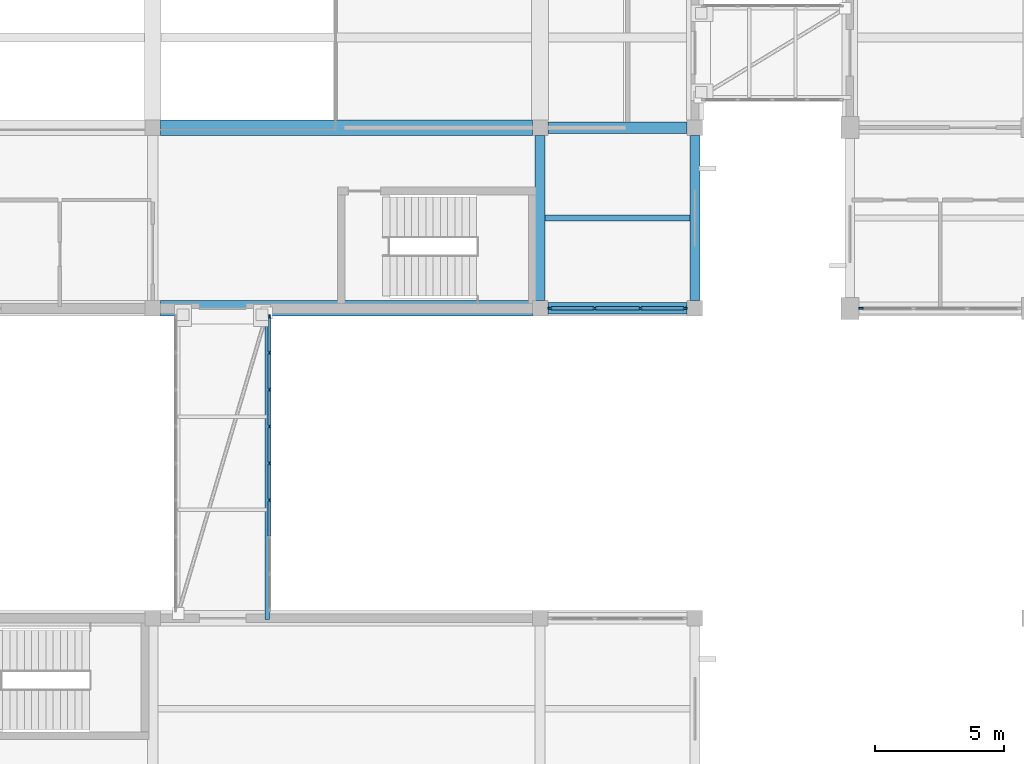
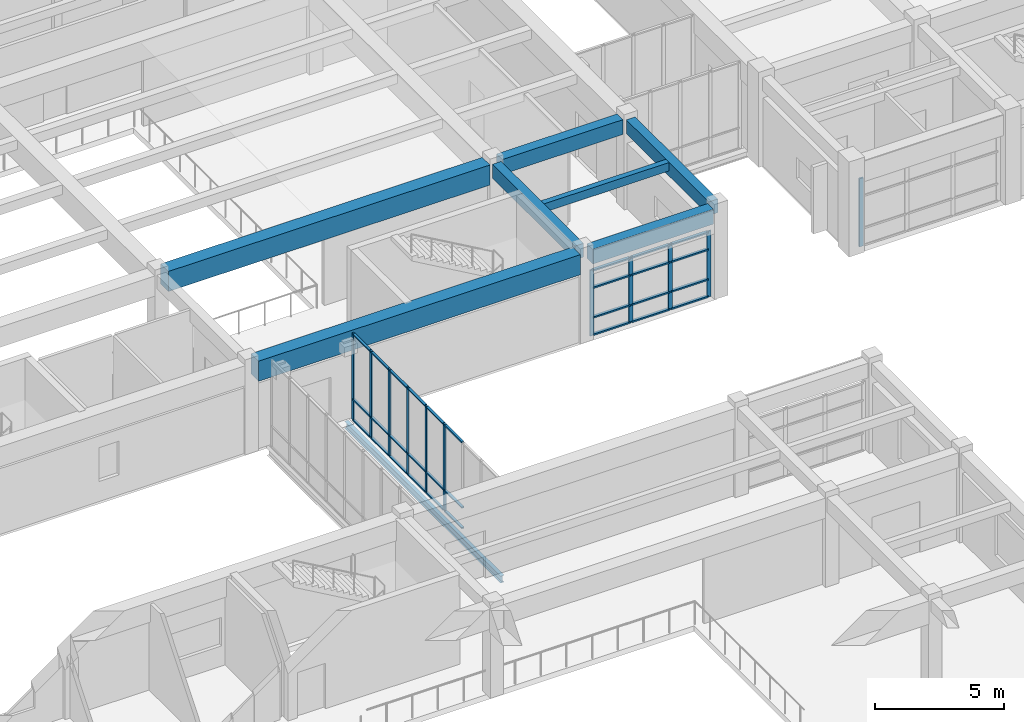
# One storey, part 14 of 72: 41 members, 8 beams, 3 elements without a shape of their own.
"""IFC4 building model written with IfcOpenShell, lengths in metres."""

from ifc_helpers import new_model, si_unit, direction, frame, origin, origin_2d, place, context, subcontext, project, spatial, rectangle, i_section, extrude, material, layer, layer_set, material_profile, profile_set, type_object, element, aggregate, save


model = new_model("IFC4")

# Units and contexts
model_context = context("Model", 3, precision=1e-05, world=origin(), true_north=direction((0.0, 1.0)))
body_context = subcontext(model_context, "Body", "Model", "MODEL_VIEW")
ifc_project = project(units=[si_unit("LENGTHUNIT", "METRE"), si_unit("AREAUNIT", "SQUARE_METRE"), si_unit("VOLUMEUNIT", "CUBIC_METRE"), si_unit("PLANEANGLEUNIT", "RADIAN"), si_unit("MASSUNIT", "GRAM", prefix="KILO")], contexts=[model_context])

# Site, building, storey
site_placement = place(None, origin())
site = spatial("IfcSite", under=ifc_project, at=site_placement, CompositionType="ELEMENT")
building_placement = place(site_placement, origin())
building = spatial("IfcBuilding", under=site, at=building_placement, Name="Naurynzar Civic Courthouse", CompositionType="ELEMENT")
storey_placement = place(building_placement, frame((0.0, 0.0, 9.89990234375)))
storey = spatial("IfcBuildingStorey", under=building, at=storey_placement, Name="L03", CompositionType="ELEMENT", Elevation=9.89990234375)

# Beams
ifc_material_1 = material(Name="Concrete C40/50", Category="concrete")
ifc_material_profile_1 = material_profile(ifc_material_1, rectangle(XDim=0.25, YDim=0.39990234375, at=origin_2d()), Name="RCB 250x400")
ifc_profile_set_1 = profile_set([ifc_material_profile_1], Name="Concrete C40/50")
beam_type_1 = type_object("IfcBeamType", Name="BM-JST-250x400", PredefinedType="JOIST", material=ifc_profile_set_1)
beam_1_placement = place(storey_placement, frame((50.199951171875, 47.5, 4.030029296875), z_axis=(1.0, 0.0, 0.0), x_axis=(0.0, 1.0, 0.0)))
element("IfcBeam", 1, at=beam_1_placement, inside=storey, type_object=beam_type_1, Name="V1 secondary rib 203 L03", PredefinedType="JOIST", context=body_context, shape_type="SweptSolid", body=[
    extrude(rectangle(XDim=0.25, YDim=0.39990234375, at=origin_2d()), origin(), (0.0, 0.0, 1.0), 5.60009765625),
])
ifc_material_2 = material(Name="Concrete C40/50", Category="concrete")
ifc_material_profile_2 = material_profile(ifc_material_2, rectangle(XDim=0.60009765625, YDim=0.949951171875, at=origin_2d()), Name="PTB 600x950")
ifc_profile_set_2 = profile_set([ifc_material_profile_2], Name="Concrete C40/50")
beam_type_2 = type_object("IfcBeamType", Name="BM-PT-600x950", PredefinedType="T_BEAM", material=ifc_profile_set_2)
for number, where, z_axis, x_axis, name in (
    (2, (35.300048828125, 44.0, 3.755126953125), (1.0, 0.0, 0.0), (0.0, 1.0, 0.0), "V1 beam X-168 L03"),
    (3, (35.300048828125, 51.0, 3.755126953125), (1.0, 0.0, 0.0), (0.0, 1.0, 0.0), "V1 beam X-173 L03"),
):
    element("IfcBeam", number, at=place(storey_placement, frame(where, z_axis=z_axis, x_axis=x_axis)), inside=storey, type_object=beam_type_2, Name=name, PredefinedType="T_BEAM", context=body_context, shape_type="SweptSolid", body=[
        extrude(rectangle(XDim=0.60009765625, YDim=0.949951171875, at=origin_2d()), origin(), (0.0, 0.0, 1.0), 14.39990234375),
    ])
ifc_material_3 = material(Name="Concrete C40/50", Category="concrete")
ifc_material_profile_3 = material_profile(ifc_material_3, rectangle(XDim=0.39990234375, YDim=0.64990234375, at=origin_2d()), Name="RCB 400x650")
ifc_profile_set_3 = profile_set([ifc_material_profile_3], Name="Concrete C40/50")
beam_type_3 = type_object("IfcBeamType", Name="BM-RC-400x650", PredefinedType="BEAM", material=ifc_profile_set_3)
for number, where, z_axis, x_axis, name in (
    (4, (50.0, 44.300048828125, 3.905029296875), (0.0, 1.0, 0.0), (-1.0, 0.0, 0.0), "V1 girder Y-197 L03"),
    (5, (56.0, 44.300048828125, 3.905029296875), (0.0, 1.0, 0.0), (-1.0, 0.0, 0.0), "V1 girder Y-200 L03"),
):
    element("IfcBeam", number, at=place(storey_placement, frame(where, z_axis=z_axis, x_axis=x_axis)), inside=storey, type_object=beam_type_3, Name=name, PredefinedType="BEAM", context=body_context, shape_type="SweptSolid", body=[
        extrude(rectangle(XDim=0.39990234375, YDim=0.64990234375, at=origin_2d()), origin(), (0.0, 0.0, 1.0), 6.39990234375),
    ])
ifc_material_4 = material(Name="Concrete C40/50", Category="concrete")
ifc_material_profile_4 = material_profile(ifc_material_4, rectangle(XDim=0.449951171875, YDim=0.699951171875, at=origin_2d()), Name="RCB 450x700")
ifc_profile_set_4 = profile_set([ifc_material_profile_4], Name="Concrete C40/50")
beam_type_4 = type_object("IfcBeamType", Name="BM-RC-450x700", PredefinedType="BEAM", material=ifc_profile_set_4)
for number, where, z_axis, x_axis, name in (
    (6, (50.300048828125, 44.0, 3.880126953125), (1.0, 0.0, 0.0), (0.0, 1.0, 0.0), "V1 beam X-169 L03"),
    (7, (50.300048828125, 51.0, 3.880126953125), (1.0, 0.0, 0.0), (0.0, 1.0, 0.0), "V1 beam X-174 L03"),
):
    element("IfcBeam", number, at=place(storey_placement, frame(where, z_axis=z_axis, x_axis=x_axis)), inside=storey, type_object=beam_type_4, Name=name, PredefinedType="BEAM", context=body_context, shape_type="SweptSolid", body=[
        extrude(rectangle(XDim=0.449951171875, YDim=0.699951171875, at=origin_2d()), origin(), (0.0, 0.0, 1.0), 5.39990234375),
    ])
ifc_material_5 = material(Name="Steel S355", Category="steel")
ifc_material_profile_5 = material_profile(ifc_material_5, i_section(OverallWidth=0.159912109375, OverallDepth=0.330078125, WebThickness=0.007568359375, FlangeThickness=0.011474609375, FilletRadius=0.01806640625, at=origin_2d()), Name="IPE 330")
ifc_profile_set_5 = profile_set([ifc_material_profile_5], Name="Steel S355")
beam_type_5 = type_object("IfcBeamType", Name="BM-STL-IPE330", PredefinedType="BEAM", material=ifc_profile_set_5)
beam_2_placement = place(storey_placement, frame((39.429931640625, 31.949951171875, -0.40478515625), z_axis=(0.0, 1.0, 0.0), x_axis=(-1.0, 0.0, 0.0)))
element("IfcBeam", 8, at=beam_2_placement, inside=storey, type_object=beam_type_5, Name="BR-W1 edge steel beam L03.2", PredefinedType="BEAM", context=body_context, shape_type="SweptSolid", body=[
    extrude(i_section(OverallWidth=0.159912109375, OverallDepth=0.330078125, WebThickness=0.007568359375, FlangeThickness=0.011474609375, FilletRadius=0.01806640625, at=origin_2d()), origin(), (0.0, 0.0, 1.0), 12.10009765625),
])

# Curtain wall, members
ifc_material_6 = material(Name="Aluminium 6063-T6", Category="aluminium")
ifc_layer_1 = layer(ifc_material_6, 0.14990234375)
ifc_layer_set_1 = layer_set([ifc_layer_1], Name="CW-BRIDGE-1500")
curtain_wall_type_1 = type_object("IfcCurtainWallType", Name="CW-BRIDGE-1500", PredefinedType="USERDEFINED", material=ifc_layer_set_1)
curtain_wall_1_placement = place(storey_placement, origin())
curtain_wall_1 = element("IfcCurtainWall", 9, at=curtain_wall_1_placement, inside=storey, type_object=curtain_wall_type_1, Name="BR-W1 glazed bridge screen L03.2", ObjectType="GLAZED BRIDGE SCREEN", PredefinedType="USERDEFINED")
ifc_material_7 = material(Name="Aluminium 6063-T6", Category="aluminium")
ifc_material_profile_6 = material_profile(ifc_material_7, rectangle(XDim=0.06005859375, YDim=0.14990234375, at=origin_2d()), Name="ALU MULLION 60x150")
ifc_profile_set_6 = profile_set([ifc_material_profile_6], Name="Aluminium 6063-T6")
member_type_1 = type_object("IfcMemberType", Name="CWM-60x150", PredefinedType="MULLION", material=ifc_profile_set_6)
member_1_placement = place(storey_placement, frame((39.52001953125, 36.574951171875, 0.0), z_axis=(0.0, 0.0, 1.0), x_axis=(-1.0, 0.0, 0.0)))
member_1 = element("IfcMember", 10, at=member_1_placement, type_object=member_type_1, Name="CW-03 mullion 4", PredefinedType="MULLION", context=body_context, shape_type="SweptSolid", body=[
    extrude(rectangle(XDim=0.06005859375, YDim=0.14990234375, at=origin_2d()), origin(), (0.0, 0.0, 1.0), 4.1201171875),
])
member_2_placement = place(storey_placement, frame((39.52001953125, 38.0, 0.0), z_axis=(0.0, 0.0, 1.0), x_axis=(-1.0, 0.0, 0.0)))
member_2 = element("IfcMember", 11, at=member_2_placement, type_object=member_type_1, Name="CW-03 mullion 5", PredefinedType="MULLION", context=body_context, shape_type="SweptSolid", body=[
    extrude(rectangle(XDim=0.06005859375, YDim=0.14990234375, at=origin_2d()), origin(), (0.0, 0.0, 1.0), 4.1201171875),
])
member_3_placement = place(storey_placement, frame((39.52001953125, 39.425048828125, 0.0), z_axis=(0.0, 0.0, 1.0), x_axis=(-1.0, 0.0, 0.0)))
member_3 = element("IfcMember", 12, at=member_3_placement, type_object=member_type_1, Name="CW-03 mullion 6", PredefinedType="MULLION", context=body_context, shape_type="SweptSolid", body=[
    extrude(rectangle(XDim=0.06005859375, YDim=0.14990234375, at=origin_2d()), origin(), (0.0, 0.0, 1.0), 4.1201171875),
])
member_4_placement = place(storey_placement, frame((39.52001953125, 40.85009765625, 0.0), z_axis=(0.0, 0.0, 1.0), x_axis=(-1.0, 0.0, 0.0)))
member_4 = element("IfcMember", 13, at=member_4_placement, type_object=member_type_1, Name="CW-03 mullion 7", PredefinedType="MULLION", context=body_context, shape_type="SweptSolid", body=[
    extrude(rectangle(XDim=0.06005859375, YDim=0.14990234375, at=origin_2d()), origin(), (0.0, 0.0, 1.0), 4.1201171875),
])
member_5_placement = place(storey_placement, frame((39.52001953125, 42.27490234375, 0.0), z_axis=(0.0, 0.0, 1.0), x_axis=(-1.0, 0.0, 0.0)))
member_5 = element("IfcMember", 14, at=member_5_placement, type_object=member_type_1, Name="CW-03 mullion 8", PredefinedType="MULLION", context=body_context, shape_type="SweptSolid", body=[
    extrude(rectangle(XDim=0.06005859375, YDim=0.14990234375, at=origin_2d()), origin(), (0.0, 0.0, 1.0), 4.1201171875),
])
member_6_placement = place(storey_placement, frame((39.52001953125, 43.669921875, 0.0), z_axis=(0.0, 0.0, 1.0), x_axis=(-1.0, 0.0, 0.0)))
member_6 = element("IfcMember", 15, at=member_6_placement, type_object=member_type_1, Name="CW-03 mullion 9", PredefinedType="MULLION", context=body_context, shape_type="SweptSolid", body=[
    extrude(rectangle(XDim=0.06005859375, YDim=0.14990234375, at=origin_2d()), origin(), (0.0, 0.0, 1.0), 4.1201171875),
])

ifc_material_8 = material(Name="Aluminium 6063-T6", Category="aluminium")
ifc_layer_2 = layer(ifc_material_8, 0.159912109375)
ifc_layer_set_2 = layer_set([ifc_layer_2], Name="CW-UNIT-1800")
curtain_wall_type_2 = type_object("IfcCurtainWallType", Name="CW-UNIT-1800", PredefinedType="NOTDEFINED", material=ifc_layer_set_2)
curtain_wall_2_placement = place(storey_placement, origin())
curtain_wall_2 = element("IfcCurtainWall", 16, at=curtain_wall_2_placement, inside=storey, type_object=curtain_wall_type_2, Name="V1 unitised curtain wall 11 L03", PredefinedType="NOTDEFINED")
ifc_material_9 = material(Name="Aluminium 6063-T6", Category="aluminium")
ifc_material_profile_7 = material_profile(ifc_material_9, rectangle(XDim=0.070068359375, YDim=0.179931640625, at=origin_2d()), Name="ALU MULLION 70x180")
ifc_profile_set_7 = profile_set([ifc_material_profile_7], Name="Aluminium 6063-T6")
member_type_2 = type_object("IfcMemberType", Name="CWM-70x180", PredefinedType="MULLION", material=ifc_profile_set_7)
member_7_placement = place(storey_placement, frame((55.614990234375, 44.0, 0.0), z_axis=(0.0, 0.0, 1.0), x_axis=(0.0, -1.0, 0.0)))
member_7 = element("IfcMember", 17, at=member_7_placement, type_object=member_type_2, Name="CW-02 mullion 1", PredefinedType="MULLION", context=body_context, shape_type="SweptSolid", body=[
    extrude(rectangle(XDim=0.070068359375, YDim=0.179931640625, at=origin_2d()), origin(), (0.0, 0.0, 1.0), 3.110107421875),
])
member_8_placement = place(storey_placement, frame((53.88330078125, 44.0, 0.0), z_axis=(0.0, 0.0, 1.0), x_axis=(0.0, -1.0, 0.0)))
member_8 = element("IfcMember", 18, at=member_8_placement, type_object=member_type_2, Name="CW-02 mullion 2", PredefinedType="MULLION", context=body_context, shape_type="SweptSolid", body=[
    extrude(rectangle(XDim=0.070068359375, YDim=0.179931640625, at=origin_2d()), origin(), (0.0, 0.0, 1.0), 3.110107421875),
])
member_9_placement = place(storey_placement, frame((52.11669921875, 44.0, 0.0), z_axis=(0.0, 0.0, 1.0), x_axis=(0.0, -1.0, 0.0)))
member_9 = element("IfcMember", 19, at=member_9_placement, type_object=member_type_2, Name="CW-02 mullion 3", PredefinedType="MULLION", context=body_context, shape_type="SweptSolid", body=[
    extrude(rectangle(XDim=0.070068359375, YDim=0.179931640625, at=origin_2d()), origin(), (0.0, 0.0, 1.0), 3.110107421875),
])
member_10_placement = place(storey_placement, frame((50.385009765625, 44.0, 0.0), z_axis=(0.0, 0.0, 1.0), x_axis=(0.0, -1.0, 0.0)))
member_10 = element("IfcMember", 20, at=member_10_placement, type_object=member_type_2, Name="CW-02 mullion 4", PredefinedType="MULLION", context=body_context, shape_type="SweptSolid", body=[
    extrude(rectangle(XDim=0.070068359375, YDim=0.179931640625, at=origin_2d()), origin(), (0.0, 0.0, 1.0), 3.110107421875),
])

# Curtain wall, member
curtain_wall_3_placement = place(storey_placement, origin())
curtain_wall_3 = element("IfcCurtainWall", 21, at=curtain_wall_3_placement, inside=storey, type_object=curtain_wall_type_2, Name="V2 unitised curtain wall 30 L03", PredefinedType="NOTDEFINED")
member_11_placement = place(storey_placement, frame((62.43505859375, 44.0, 0.0), z_axis=(0.0, 0.0, 1.0), x_axis=(0.0, -1.0, 0.0)))
member_11 = element("IfcMember", 22, at=member_11_placement, type_object=member_type_2, Name="CW-02 mullion 4", PredefinedType="MULLION", context=body_context, shape_type="SweptSolid", body=[
    extrude(rectangle(XDim=0.070068359375, YDim=0.179931640625, at=origin_2d()), origin(), (0.0, 0.0, 1.0), 3.22998046875),
])
aggregate(curtain_wall_3, [member_11])

# Member
ifc_material_10 = material(Name="Aluminium 6063-T6", Category="aluminium")
ifc_material_profile_8 = material_profile(ifc_material_10, rectangle(XDim=0.110107421875, YDim=0.06005859375, at=origin_2d()), Name="ALU TRANSOM 60x110")
ifc_profile_set_8 = profile_set([ifc_material_profile_8], Name="Aluminium 6063-T6")
member_type_3 = type_object("IfcMemberType", Name="CWT-60x110", PredefinedType="USERDEFINED", material=ifc_profile_set_8)
member_12_placement = place(storey_placement, frame((39.52001953125, 35.179931640625, 0.030029296875), z_axis=(0.0, 1.0, 0.0), x_axis=(-1.0, 0.0, 0.0)))
member_12 = element("IfcMember", 23, at=member_12_placement, type_object=member_type_3, Name="CW-03 transom 3.1", ObjectType="TRANSOM", PredefinedType="USERDEFINED", context=body_context, shape_type="SweptSolid", body=[
    extrude(rectangle(XDim=0.110107421875, YDim=0.06005859375, at=origin_2d()), origin(), (0.0, 0.0, 1.0), 1.364990234375),
])

member_13_placement = place(storey_placement, frame((39.52001953125, 35.179931640625, 1.0), z_axis=(0.0, 1.0, 0.0), x_axis=(-1.0, 0.0, 0.0)))
member_13 = element("IfcMember", 24, at=member_13_placement, type_object=member_type_3, Name="CW-03 transom 3.2", ObjectType="TRANSOM", PredefinedType="USERDEFINED", context=body_context, shape_type="SweptSolid", body=[
    extrude(rectangle(XDim=0.110107421875, YDim=0.06005859375, at=origin_2d()), origin(), (0.0, 0.0, 1.0), 1.364990234375),
])

member_14_placement = place(storey_placement, frame((39.52001953125, 35.179931640625, 4.090087890625), z_axis=(0.0, 1.0, 0.0), x_axis=(-1.0, 0.0, 0.0)))
member_14 = element("IfcMember", 25, at=member_14_placement, type_object=member_type_3, Name="CW-03 transom 3.3", ObjectType="TRANSOM", PredefinedType="USERDEFINED", context=body_context, shape_type="SweptSolid", body=[
    extrude(rectangle(XDim=0.110107421875, YDim=0.06005859375, at=origin_2d()), origin(), (0.0, 0.0, 1.0), 1.364990234375),
])

member_15_placement = place(storey_placement, frame((39.52001953125, 36.60498046875, 0.030029296875), z_axis=(0.0, 1.0, 0.0), x_axis=(-1.0, 0.0, 0.0)))
member_15 = element("IfcMember", 26, at=member_15_placement, type_object=member_type_3, Name="CW-03 transom 4.1", ObjectType="TRANSOM", PredefinedType="USERDEFINED", context=body_context, shape_type="SweptSolid", body=[
    extrude(rectangle(XDim=0.110107421875, YDim=0.06005859375, at=origin_2d()), origin(), (0.0, 0.0, 1.0), 1.364990234375),
])

member_16_placement = place(storey_placement, frame((39.52001953125, 36.60498046875, 1.0), z_axis=(0.0, 1.0, 0.0), x_axis=(-1.0, 0.0, 0.0)))
member_16 = element("IfcMember", 27, at=member_16_placement, type_object=member_type_3, Name="CW-03 transom 4.2", ObjectType="TRANSOM", PredefinedType="USERDEFINED", context=body_context, shape_type="SweptSolid", body=[
    extrude(rectangle(XDim=0.110107421875, YDim=0.06005859375, at=origin_2d()), origin(), (0.0, 0.0, 1.0), 1.364990234375),
])

member_17_placement = place(storey_placement, frame((39.52001953125, 36.60498046875, 4.090087890625), z_axis=(0.0, 1.0, 0.0), x_axis=(-1.0, 0.0, 0.0)))
member_17 = element("IfcMember", 28, at=member_17_placement, type_object=member_type_3, Name="CW-03 transom 4.3", ObjectType="TRANSOM", PredefinedType="USERDEFINED", context=body_context, shape_type="SweptSolid", body=[
    extrude(rectangle(XDim=0.110107421875, YDim=0.06005859375, at=origin_2d()), origin(), (0.0, 0.0, 1.0), 1.364990234375),
])

member_18_placement = place(storey_placement, frame((39.52001953125, 38.030029296875, 0.030029296875), z_axis=(0.0, 1.0, 0.0), x_axis=(-1.0, 0.0, 0.0)))
member_18 = element("IfcMember", 29, at=member_18_placement, type_object=member_type_3, Name="CW-03 transom 5.1", ObjectType="TRANSOM", PredefinedType="USERDEFINED", context=body_context, shape_type="SweptSolid", body=[
    extrude(rectangle(XDim=0.110107421875, YDim=0.06005859375, at=origin_2d()), origin(), (0.0, 0.0, 1.0), 1.364990234375),
])

member_19_placement = place(storey_placement, frame((39.52001953125, 38.030029296875, 1.0), z_axis=(0.0, 1.0, 0.0), x_axis=(-1.0, 0.0, 0.0)))
member_19 = element("IfcMember", 30, at=member_19_placement, type_object=member_type_3, Name="CW-03 transom 5.2", ObjectType="TRANSOM", PredefinedType="USERDEFINED", context=body_context, shape_type="SweptSolid", body=[
    extrude(rectangle(XDim=0.110107421875, YDim=0.06005859375, at=origin_2d()), origin(), (0.0, 0.0, 1.0), 1.364990234375),
])

member_20_placement = place(storey_placement, frame((39.52001953125, 38.030029296875, 4.090087890625), z_axis=(0.0, 1.0, 0.0), x_axis=(-1.0, 0.0, 0.0)))
member_20 = element("IfcMember", 31, at=member_20_placement, type_object=member_type_3, Name="CW-03 transom 5.3", ObjectType="TRANSOM", PredefinedType="USERDEFINED", context=body_context, shape_type="SweptSolid", body=[
    extrude(rectangle(XDim=0.110107421875, YDim=0.06005859375, at=origin_2d()), origin(), (0.0, 0.0, 1.0), 1.364990234375),
])

member_21_placement = place(storey_placement, frame((39.52001953125, 39.455078125, 0.030029296875), z_axis=(0.0, 1.0, 0.0), x_axis=(-1.0, 0.0, 0.0)))
member_21 = element("IfcMember", 32, at=member_21_placement, type_object=member_type_3, Name="CW-03 transom 6.1", ObjectType="TRANSOM", PredefinedType="USERDEFINED", context=body_context, shape_type="SweptSolid", body=[
    extrude(rectangle(XDim=0.110107421875, YDim=0.06005859375, at=origin_2d()), origin(), (0.0, 0.0, 1.0), 1.364990234375),
])

member_22_placement = place(storey_placement, frame((39.52001953125, 39.455078125, 1.0), z_axis=(0.0, 1.0, 0.0), x_axis=(-1.0, 0.0, 0.0)))
member_22 = element("IfcMember", 33, at=member_22_placement, type_object=member_type_3, Name="CW-03 transom 6.2", ObjectType="TRANSOM", PredefinedType="USERDEFINED", context=body_context, shape_type="SweptSolid", body=[
    extrude(rectangle(XDim=0.110107421875, YDim=0.06005859375, at=origin_2d()), origin(), (0.0, 0.0, 1.0), 1.364990234375),
])

member_23_placement = place(storey_placement, frame((39.52001953125, 39.455078125, 4.090087890625), z_axis=(0.0, 1.0, 0.0), x_axis=(-1.0, 0.0, 0.0)))
member_23 = element("IfcMember", 34, at=member_23_placement, type_object=member_type_3, Name="CW-03 transom 6.3", ObjectType="TRANSOM", PredefinedType="USERDEFINED", context=body_context, shape_type="SweptSolid", body=[
    extrude(rectangle(XDim=0.110107421875, YDim=0.06005859375, at=origin_2d()), origin(), (0.0, 0.0, 1.0), 1.364990234375),
])

member_24_placement = place(storey_placement, frame((39.52001953125, 40.8798828125, 0.030029296875), z_axis=(0.0, 1.0, 0.0), x_axis=(-1.0, 0.0, 0.0)))
member_24 = element("IfcMember", 35, at=member_24_placement, type_object=member_type_3, Name="CW-03 transom 7.1", ObjectType="TRANSOM", PredefinedType="USERDEFINED", context=body_context, shape_type="SweptSolid", body=[
    extrude(rectangle(XDim=0.110107421875, YDim=0.06005859375, at=origin_2d()), origin(), (0.0, 0.0, 1.0), 1.365234375),
])

member_25_placement = place(storey_placement, frame((39.52001953125, 40.8798828125, 1.0), z_axis=(0.0, 1.0, 0.0), x_axis=(-1.0, 0.0, 0.0)))
member_25 = element("IfcMember", 36, at=member_25_placement, type_object=member_type_3, Name="CW-03 transom 7.2", ObjectType="TRANSOM", PredefinedType="USERDEFINED", context=body_context, shape_type="SweptSolid", body=[
    extrude(rectangle(XDim=0.110107421875, YDim=0.06005859375, at=origin_2d()), origin(), (0.0, 0.0, 1.0), 1.365234375),
])

member_26_placement = place(storey_placement, frame((39.52001953125, 40.8798828125, 4.090087890625), z_axis=(0.0, 1.0, 0.0), x_axis=(-1.0, 0.0, 0.0)))
member_26 = element("IfcMember", 37, at=member_26_placement, type_object=member_type_3, Name="CW-03 transom 7.3", ObjectType="TRANSOM", PredefinedType="USERDEFINED", context=body_context, shape_type="SweptSolid", body=[
    extrude(rectangle(XDim=0.110107421875, YDim=0.06005859375, at=origin_2d()), origin(), (0.0, 0.0, 1.0), 1.365234375),
])

member_27_placement = place(storey_placement, frame((39.52001953125, 42.304931640625, 0.030029296875), z_axis=(0.0, 1.0, 0.0), x_axis=(-1.0, 0.0, 0.0)))
member_27 = element("IfcMember", 38, at=member_27_placement, type_object=member_type_3, Name="CW-03 transom 8.1", ObjectType="TRANSOM", PredefinedType="USERDEFINED", context=body_context, shape_type="SweptSolid", body=[
    extrude(rectangle(XDim=0.110107421875, YDim=0.06005859375, at=origin_2d()), origin(), (0.0, 0.0, 1.0), 1.3349609375),
])

member_28_placement = place(storey_placement, frame((39.52001953125, 42.304931640625, 1.0), z_axis=(0.0, 1.0, 0.0), x_axis=(-1.0, 0.0, 0.0)))
member_28 = element("IfcMember", 39, at=member_28_placement, type_object=member_type_3, Name="CW-03 transom 8.2", ObjectType="TRANSOM", PredefinedType="USERDEFINED", context=body_context, shape_type="SweptSolid", body=[
    extrude(rectangle(XDim=0.110107421875, YDim=0.06005859375, at=origin_2d()), origin(), (0.0, 0.0, 1.0), 1.3349609375),
])

member_29_placement = place(storey_placement, frame((39.52001953125, 42.304931640625, 4.090087890625), z_axis=(0.0, 1.0, 0.0), x_axis=(-1.0, 0.0, 0.0)))
member_29 = element("IfcMember", 40, at=member_29_placement, type_object=member_type_3, Name="CW-03 transom 8.3", ObjectType="TRANSOM", PredefinedType="USERDEFINED", context=body_context, shape_type="SweptSolid", body=[
    extrude(rectangle(XDim=0.110107421875, YDim=0.06005859375, at=origin_2d()), origin(), (0.0, 0.0, 1.0), 1.3349609375),
])

aggregate(curtain_wall_1, [member_1, member_2, member_3, member_4, member_5, member_6, member_12, member_13, member_14, member_15, member_16, member_17, member_18, member_19, member_20, member_21, member_22, member_23, member_24, member_25, member_26, member_27, member_28, member_29])

ifc_material_11 = material(Name="Aluminium 6063-T6", Category="aluminium")
ifc_material_profile_9 = material_profile(ifc_material_11, rectangle(XDim=0.1298828125, YDim=0.070068359375, at=origin_2d()), Name="ALU TRANSOM 70x130")
ifc_profile_set_9 = profile_set([ifc_material_profile_9], Name="Aluminium 6063-T6")
member_type_4 = type_object("IfcMemberType", Name="CWT-70x130", PredefinedType="USERDEFINED", material=ifc_profile_set_9)
member_30_placement = place(storey_placement, frame((55.580078125, 44.0, 0.03515625), z_axis=(-1.0, 0.0, 0.0), x_axis=(0.0, -1.0, 0.0)))
member_30 = element("IfcMember", 41, at=member_30_placement, type_object=member_type_4, Name="CW-02 transom 1.1", ObjectType="TRANSOM", PredefinedType="USERDEFINED", context=body_context, shape_type="SweptSolid", body=[
    extrude(rectangle(XDim=0.1298828125, YDim=0.070068359375, at=origin_2d()), origin(), (0.0, 0.0, 1.0), 1.661865234375),
])

member_31_placement = place(storey_placement, frame((55.580078125, 44.0, 0.85009765625), z_axis=(-1.0, 0.0, 0.0), x_axis=(0.0, -1.0, 0.0)))
member_31 = element("IfcMember", 42, at=member_31_placement, type_object=member_type_4, Name="CW-02 transom 1.2", ObjectType="TRANSOM", PredefinedType="USERDEFINED", context=body_context, shape_type="SweptSolid", body=[
    extrude(rectangle(XDim=0.1298828125, YDim=0.070068359375, at=origin_2d()), origin(), (0.0, 0.0, 1.0), 1.661865234375),
])

member_32_placement = place(storey_placement, frame((55.580078125, 44.0, 2.260009765625), z_axis=(-1.0, 0.0, 0.0), x_axis=(0.0, -1.0, 0.0)))
member_32 = element("IfcMember", 43, at=member_32_placement, type_object=member_type_4, Name="CW-02 transom 1.3", ObjectType="TRANSOM", PredefinedType="USERDEFINED", context=body_context, shape_type="SweptSolid", body=[
    extrude(rectangle(XDim=0.1298828125, YDim=0.070068359375, at=origin_2d()), origin(), (0.0, 0.0, 1.0), 1.661865234375),
])

member_33_placement = place(storey_placement, frame((55.580078125, 44.0, 3.0751953125), z_axis=(-1.0, 0.0, 0.0), x_axis=(0.0, -1.0, 0.0)))
member_33 = element("IfcMember", 44, at=member_33_placement, type_object=member_type_4, Name="CW-02 transom 1.4", ObjectType="TRANSOM", PredefinedType="USERDEFINED", context=body_context, shape_type="SweptSolid", body=[
    extrude(rectangle(XDim=0.1298828125, YDim=0.070068359375, at=origin_2d()), origin(), (0.0, 0.0, 1.0), 1.661865234375),
])

member_34_placement = place(storey_placement, frame((53.848388671875, 44.0, 0.03515625), z_axis=(-1.0, 0.0, 0.0), x_axis=(0.0, -1.0, 0.0)))
member_34 = element("IfcMember", 45, at=member_34_placement, type_object=member_type_4, Name="CW-02 transom 2.1", ObjectType="TRANSOM", PredefinedType="USERDEFINED", context=body_context, shape_type="SweptSolid", body=[
    extrude(rectangle(XDim=0.1298828125, YDim=0.070068359375, at=origin_2d()), origin(), (0.0, 0.0, 1.0), 1.69677734375),
])

member_35_placement = place(storey_placement, frame((53.848388671875, 44.0, 0.85009765625), z_axis=(-1.0, 0.0, 0.0), x_axis=(0.0, -1.0, 0.0)))
member_35 = element("IfcMember", 46, at=member_35_placement, type_object=member_type_4, Name="CW-02 transom 2.2", ObjectType="TRANSOM", PredefinedType="USERDEFINED", context=body_context, shape_type="SweptSolid", body=[
    extrude(rectangle(XDim=0.1298828125, YDim=0.070068359375, at=origin_2d()), origin(), (0.0, 0.0, 1.0), 1.69677734375),
])

member_36_placement = place(storey_placement, frame((53.848388671875, 44.0, 2.260009765625), z_axis=(-1.0, 0.0, 0.0), x_axis=(0.0, -1.0, 0.0)))
member_36 = element("IfcMember", 47, at=member_36_placement, type_object=member_type_4, Name="CW-02 transom 2.3", ObjectType="TRANSOM", PredefinedType="USERDEFINED", context=body_context, shape_type="SweptSolid", body=[
    extrude(rectangle(XDim=0.1298828125, YDim=0.070068359375, at=origin_2d()), origin(), (0.0, 0.0, 1.0), 1.69677734375),
])

member_37_placement = place(storey_placement, frame((53.848388671875, 44.0, 3.0751953125), z_axis=(-1.0, 0.0, 0.0), x_axis=(0.0, -1.0, 0.0)))
member_37 = element("IfcMember", 48, at=member_37_placement, type_object=member_type_4, Name="CW-02 transom 2.4", ObjectType="TRANSOM", PredefinedType="USERDEFINED", context=body_context, shape_type="SweptSolid", body=[
    extrude(rectangle(XDim=0.1298828125, YDim=0.070068359375, at=origin_2d()), origin(), (0.0, 0.0, 1.0), 1.69677734375),
])

member_38_placement = place(storey_placement, frame((52.081787109375, 44.0, 0.03515625), z_axis=(-1.0, 0.0, 0.0), x_axis=(0.0, -1.0, 0.0)))
member_38 = element("IfcMember", 49, at=member_38_placement, type_object=member_type_4, Name="CW-02 transom 3.1", ObjectType="TRANSOM", PredefinedType="USERDEFINED", context=body_context, shape_type="SweptSolid", body=[
    extrude(rectangle(XDim=0.1298828125, YDim=0.070068359375, at=origin_2d()), origin(), (0.0, 0.0, 1.0), 1.661865234375),
])

member_39_placement = place(storey_placement, frame((52.081787109375, 44.0, 0.85009765625), z_axis=(-1.0, 0.0, 0.0), x_axis=(0.0, -1.0, 0.0)))
member_39 = element("IfcMember", 50, at=member_39_placement, type_object=member_type_4, Name="CW-02 transom 3.2", ObjectType="TRANSOM", PredefinedType="USERDEFINED", context=body_context, shape_type="SweptSolid", body=[
    extrude(rectangle(XDim=0.1298828125, YDim=0.070068359375, at=origin_2d()), origin(), (0.0, 0.0, 1.0), 1.661865234375),
])

member_40_placement = place(storey_placement, frame((52.081787109375, 44.0, 2.260009765625), z_axis=(-1.0, 0.0, 0.0), x_axis=(0.0, -1.0, 0.0)))
member_40 = element("IfcMember", 51, at=member_40_placement, type_object=member_type_4, Name="CW-02 transom 3.3", ObjectType="TRANSOM", PredefinedType="USERDEFINED", context=body_context, shape_type="SweptSolid", body=[
    extrude(rectangle(XDim=0.1298828125, YDim=0.070068359375, at=origin_2d()), origin(), (0.0, 0.0, 1.0), 1.661865234375),
])

member_41_placement = place(storey_placement, frame((52.081787109375, 44.0, 3.0751953125), z_axis=(-1.0, 0.0, 0.0), x_axis=(0.0, -1.0, 0.0)))
member_41 = element("IfcMember", 52, at=member_41_placement, type_object=member_type_4, Name="CW-02 transom 3.4", ObjectType="TRANSOM", PredefinedType="USERDEFINED", context=body_context, shape_type="SweptSolid", body=[
    extrude(rectangle(XDim=0.1298828125, YDim=0.070068359375, at=origin_2d()), origin(), (0.0, 0.0, 1.0), 1.661865234375),
])

aggregate(curtain_wall_2, [member_7, member_8, member_9, member_10, member_30, member_31, member_32, member_33, member_34, member_35, member_36, member_37, member_38, member_39, member_40, member_41])

save(model, "model.ifc")
